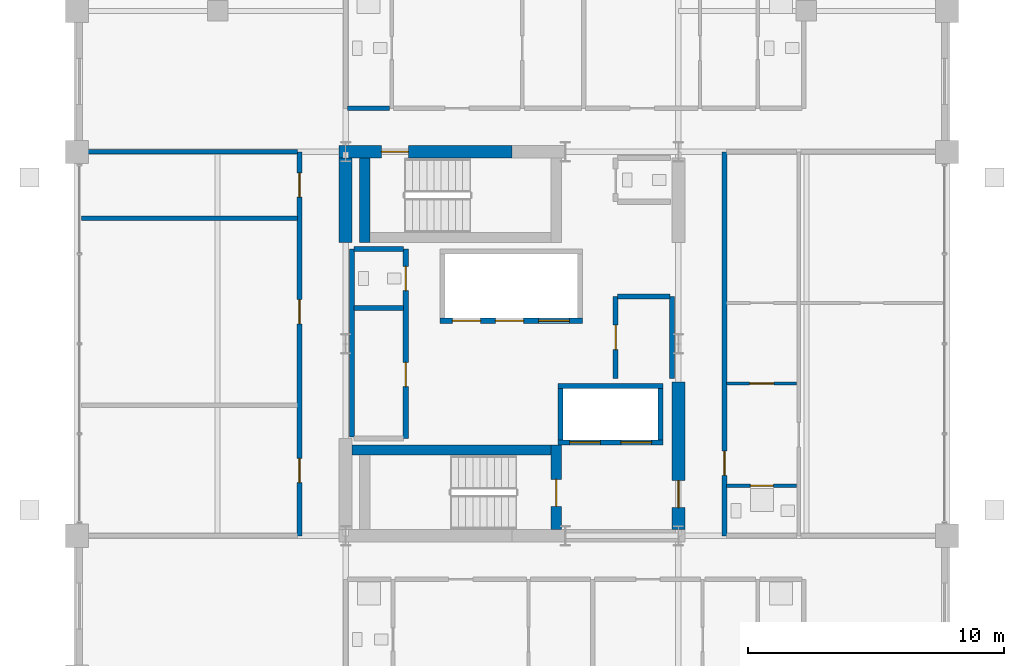
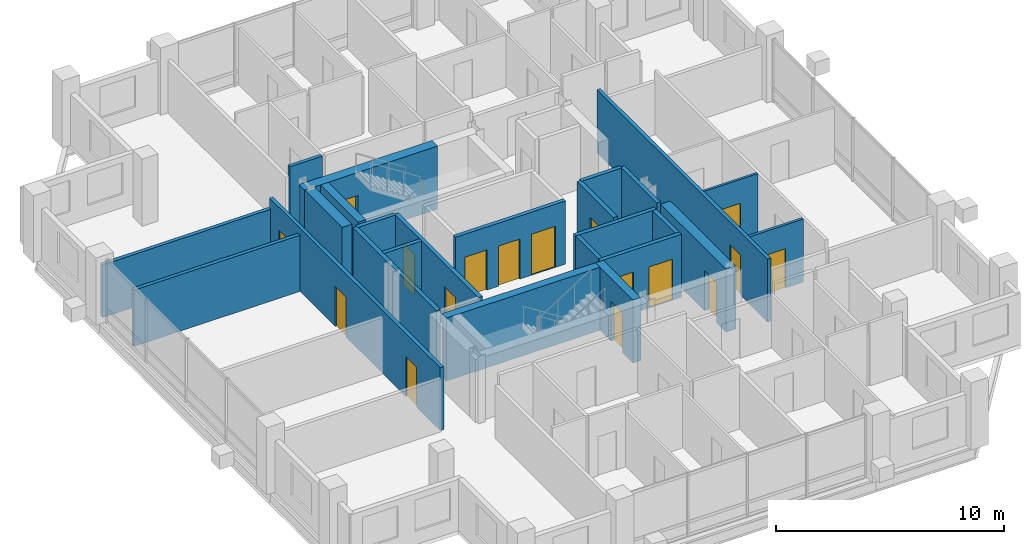
# One storey, part 17 of 21: 25 walls, 17 doors, 17 openings.
"""IFC4 building model written with IfcOpenShell, lengths in metres."""

import ifcopenshell
import ifcopenshell.guid

model = None  # the IFC model being written
_history = None  # IfcOwnerHistory: only IFC2X3 demands one
_inside = {}  # id of a spatial element -> (the spatial element, [elements in it])
_under = {}  # id of a project, library or spatial element -> (it, [spatial elements below it])
_declared = {}  # id of a project -> (the project, [libraries it declares])
_typed = {}  # id of a type object -> (the type object, [elements of that type])
_made_of = {}  # id of a material, layer set ... -> (it, [elements and type objects made of it])


def new_model(schema):
    """Start an empty IFC model of exactly this schema.

    Asked for "IFC4X3", IfcOpenShell would pick the latest addendum, in which some entities
    have other attributes; the version numbers below select the first issue.
    IFC2X3 requires an IfcOwnerHistory on every rooted entity: one is made here for all.
    """
    global model, _history
    if schema == "IFC4X3":
        model = ifcopenshell.file(schema_version=(4, 3, 0, 0))
    else:
        model = ifcopenshell.file(schema=schema)
    _inside.clear()
    _under.clear()
    _declared.clear()
    _typed.clear()
    _made_of.clear()
    _history = None
    if model.schema == "IFC2X3":
        org = make("IfcOrganization", Name="unknown")
        user = make(
            "IfcPersonAndOrganization",
            ThePerson=make("IfcPerson", FamilyName="unknown"),
            TheOrganization=org,
        )
        app = make(
            "IfcApplication",
            ApplicationDeveloper=org,
            Version="unknown",
            ApplicationFullName="unknown",
            ApplicationIdentifier="unknown",
        )
        _history = make(
            "IfcOwnerHistory",
            OwningUser=user,
            OwningApplication=app,
            ChangeAction="ADDED",
            CreationDate=0,
        )
    return model


def make(cls, **values):
    """One entity of the class cls with the attributes given. An attribute that is None is left unset."""
    return model.create_entity(
        cls, **{name: value for name, value in values.items() if value is not None}
    )


def rooted(cls, **values):
    """An entity with a GlobalId (a new one), such as an element, a storey or a relation."""
    return make(cls, GlobalId=ifcopenshell.guid.new(), OwnerHistory=_history, **values)


def si_unit(unit_type, name, prefix=None):
    """IfcSIUnit, for example si_unit("LENGTHUNIT", "METRE", prefix="MILLI")."""
    return make("IfcSIUnit", UnitType=unit_type, Prefix=prefix, Name=name)


def assignment(units):
    """IfcUnitAssignment: the units of a project."""
    return None if units is None else make("IfcUnitAssignment", Units=units)


def point(xyz):
    """IfcCartesianPoint."""
    return None if xyz is None else make("IfcCartesianPoint", Coordinates=xyz)


def direction(xyz):
    """IfcDirection."""
    return None if xyz is None else make("IfcDirection", DirectionRatios=xyz)


def frame(location, z_axis=None, x_axis=None):
    """IfcAxis2Placement3D, a coordinate frame: its origin and axes. An axis left out is left unset."""
    return make(
        "IfcAxis2Placement3D",
        Location=point(location),
        Axis=direction(z_axis),
        RefDirection=direction(x_axis),
    )


def frame_2d(location, x_axis=None):
    """IfcAxis2Placement2D, a coordinate frame in the plane: its origin and x axis."""
    return make(
        "IfcAxis2Placement2D", Location=point(location), RefDirection=direction(x_axis)
    )


def origin():
    """The frame at (0, 0, 0) with its axes left unset."""
    return frame((0.0, 0.0, 0.0))


def place(relative_to, where):
    """IfcLocalPlacement: puts the frame where relative to a parent placement (None: the world)."""
    return make(
        "IfcLocalPlacement", PlacementRelTo=relative_to, RelativePlacement=where
    )


def context(
    kind, dimensions, precision=None, world=None, true_north=None, identifier=None
):
    """IfcGeometricRepresentationContext, for example the 3D "Model" context."""
    return make(
        "IfcGeometricRepresentationContext",
        ContextIdentifier=identifier,
        ContextType=kind,
        CoordinateSpaceDimension=dimensions,
        Precision=precision,
        WorldCoordinateSystem=world,
        TrueNorth=true_north,
    )


def subcontext(parent, identifier, kind, view, scale=None):
    """IfcGeometricRepresentationSubContext, for example "Body" below "Model"."""
    return make(
        "IfcGeometricRepresentationSubContext",
        ContextIdentifier=identifier,
        ContextType=kind,
        ParentContext=parent,
        TargetScale=scale,
        TargetView=view,
    )


def project(units=None, contexts=None):
    """IfcProject with its units and contexts."""
    return rooted(
        "IfcProject",
        Name="project",
        RepresentationContexts=contexts,
        UnitsInContext=assignment(units),
    )


def spatial(cls, under=None, at=None, **own):
    """A site, building, storey or space (cls), placed at a placement, below another one or the project."""
    s = rooted(cls, ObjectPlacement=at, **own)
    if under is not None:
        _under.setdefault(under.id(), (under, []))[1].append(s)
    return s


def profile(cls, at=None, kind="AREA", **sizes):
    """A parametric profile (cls). Its sizes go by their IFC names, for example OverallWidth=200.0."""
    return make(cls, ProfileType=kind, Position=at, **sizes)


def rectangle(**sizes):
    """IfcRectangleProfileDef."""
    return profile("IfcRectangleProfileDef", **sizes)


def extrude(swept, where, along, depth):
    """IfcExtrudedAreaSolid: the profile swept, set in the frame where, extruded along a direction by depth."""
    return make(
        "IfcExtrudedAreaSolid",
        SweptArea=swept,
        Position=where,
        ExtrudedDirection=direction(along),
        Depth=depth,
    )


def shape(context_of_items, identifier, shape_type, items):
    """IfcShapeRepresentation: the items that make up one representation, for example the "Body"."""
    return make(
        "IfcShapeRepresentation",
        ContextOfItems=context_of_items,
        RepresentationIdentifier=identifier,
        RepresentationType=shape_type,
        Items=items,
    )


def material(Name=None, Category=None):
    """IfcMaterial."""
    return make("IfcMaterial", Name=Name, Category=Category)


def layer(
    of_material, thickness, ventilated=None, Name=None, Category=None, Priority=None
):
    """IfcMaterialLayer: one layer of a wall or slab, of a material (None: an air gap)."""
    return make(
        "IfcMaterialLayer",
        Material=of_material,
        LayerThickness=thickness,
        IsVentilated=ventilated,
        Name=Name,
        Category=Category,
        Priority=Priority,
    )


def layer_set(layers, Name=None):
    """IfcMaterialLayerSet."""
    return make("IfcMaterialLayerSet", MaterialLayers=layers, LayerSetName=Name)


def made_of(thing, what):
    """Note that an element or type object is made of a material, layer set ...; save() writes the relation."""
    if what is not None:
        _made_of.setdefault(what.id(), (what, []))[1].append(thing)
    return thing


def type_object(cls, material=None, **own):
    """A type object (cls), such as IfcWallType, which elements share."""
    return made_of(rooted(cls, **own), material)


def element(
    cls,
    number,
    at=None,
    inside=None,
    cuts=None,
    type_object=None,
    material=None,
    context=None,
    identifier="Body",
    shape_type=None,
    held_by="IfcProductDefinitionShape",
    body=None,
    shapes=None,
    **own,
):
    """One element of the class cls, such as IfcWall. Its Tag is "e" and its number.

    at: its placement. inside: the storey or other place that contains it. cuts: it is an
    opening in that element (IfcRelVoidsElement). A single representation is given by context,
    identifier, shape_type and body (its items); several are given by shapes. held_by: the class
    of the entity that holds the representations. save() writes the other relations.
    """
    e = rooted(cls, Tag="e%d" % number, ObjectPlacement=at, **own)
    if body is not None:
        shapes = [shape(context, identifier, shape_type, body)]
    if shapes is not None:
        e.Representation = make(held_by, Representations=shapes)
    if inside is not None:
        _inside.setdefault(inside.id(), (inside, []))[1].append(e)
    if cuts is not None:
        rooted(
            "IfcRelVoidsElement", RelatingBuildingElement=cuts, RelatedOpeningElement=e
        )
    if type_object is not None:
        _typed.setdefault(type_object.id(), (type_object, []))[1].append(e)
    return made_of(e, material)


def fill(opening, filler):
    """IfcRelFillsElement: the door or window that sits in an opening."""
    return rooted(
        "IfcRelFillsElement",
        RelatingOpeningElement=opening,
        RelatedBuildingElement=filler,
    )


def aggregate(whole, parts):
    """IfcRelAggregates: a whole, such as a stair, and the parts it consists of."""
    return rooted("IfcRelAggregates", RelatingObject=whole, RelatedObjects=parts)


def save(model, path):
    """Write the relations noted so far, then the file.

    IfcRelAggregates (storeys below a building ...), IfcRelContainedInSpatialStructure (elements
    in a storey), IfcRelDefinesByType, IfcRelAssociatesMaterial and IfcRelDeclares: one each for
    every whole, place, type object, material and project.
    """
    for whole, parts in _under.values():
        aggregate(whole, parts)
    for where, things in _inside.values():
        rooted(
            "IfcRelContainedInSpatialStructure",
            RelatedElements=things,
            RelatingStructure=where,
        )
    for kind, things in _typed.values():
        rooted("IfcRelDefinesByType", RelatedObjects=things, RelatingType=kind)
    for what, things in _made_of.values():
        rooted("IfcRelAssociatesMaterial", RelatedObjects=things, RelatingMaterial=what)
    for by, libraries in _declared.values():
        rooted("IfcRelDeclares", RelatingContext=by, RelatedDefinitions=libraries)
    model.write(path)


model = new_model("IFC4")

# Units and contexts
model_context = context("Model", 3, precision=1e-05, world=origin(), true_north=direction((0.0, 1.0)))
body_context = subcontext(model_context, "Body", "Model", "MODEL_VIEW")
ifc_project = project(units=[si_unit("LENGTHUNIT", "METRE"), si_unit("AREAUNIT", "SQUARE_METRE"), si_unit("VOLUMEUNIT", "CUBIC_METRE"), si_unit("PLANEANGLEUNIT", "RADIAN"), si_unit("MASSUNIT", "GRAM", prefix="KILO")], contexts=[model_context])

# Site, building, storey
site_placement = place(None, origin())
site = spatial("IfcSite", under=ifc_project, at=site_placement, CompositionType="ELEMENT")
building_placement = place(site_placement, origin())
building = spatial("IfcBuilding", under=site, at=building_placement, Name="Barlavira Tower and Art Museum", CompositionType="ELEMENT")
storey_placement = place(building_placement, frame((0.0, 0.0, 233.10009765625)))
storey = spatial("IfcBuildingStorey", under=building, at=storey_placement, Name="L60", CompositionType="ELEMENT", Elevation=233.10009765625)

# Wall, opening, door
ifc_material_1 = material(Name="Gypsum acoustic stud partition", Category="gypsum")
ifc_layer_1 = layer(ifc_material_1, 0.1201171875, Name="Gypsum acoustic stud partition")
ifc_layer_set_1 = layer_set([ifc_layer_1], Name="Gypsum acoustic stud partition")
wall_type_1 = type_object("IfcWallType", Name="Apartment Internal Acoustic Partition 120", PredefinedType="PARTITIONING", material=ifc_layer_set_1)
wall_1_placement = place(storey_placement, frame((8.3798828125, -1.550048828125, 0.0), z_axis=(0.0, 0.0, 1.0), x_axis=(1.0, 0.0, 0.0)))
wall_1 = element("IfcWall", 1, at=wall_1_placement, inside=storey, type_object=wall_type_1, Name="L60 Partition Wall 46", PredefinedType="PARTITIONING", context=body_context, shape_type="SweptSolid", body=[
    extrude(rectangle(XDim=2.740234375, YDim=0.1201171875, at=frame_2d((1.3701171875, 0.0))), origin(), (0.0, 0.0, 1.0), 3.3798828125),
])
opening_1_placement = place(wall_1_placement, frame((0.905029296875, 0.0, 0.0)))
opening_1 = element("IfcOpeningElement", 2, at=opening_1_placement, cuts=wall_1, Name="Opening D-02", PredefinedType="OPENING", context=body_context, shape_type="SweptSolid", body=[
    extrude(rectangle(XDim=0.949951171875, YDim=2.10009765625, at=frame_2d((0.47509765625, 1.050048828125))), frame((0.0, 0.070068359375, 0.0), z_axis=(0.0, -1.0, 0.0), x_axis=(1.0, 0.0, 0.0)), (0.0, 0.0, 1.0), 0.14013671875),
])
ifc_material_2 = material(Name="Engineered coastal hardwood", Category="wood")
door_type_1 = type_object("IfcDoorType", Name="Living and Salon Glazed-Leaf Door 950x2100", OperationType="NOTDEFINED", PredefinedType="DOOR", material=ifc_material_2)
door_1_placement = place(opening_1_placement, origin())
door_1 = element("IfcDoor", 3, at=door_1_placement, inside=storey, type_object=door_type_1, Name="Apartment E1 Kitchen Door", OperationType="SINGLE_SWING_RIGHT", OverallHeight=2.10009765625, OverallWidth=0.949951171875, PredefinedType="DOOR", context=body_context, shape_type="SweptSolid", body=[
    extrude(rectangle(XDim=0.949951171875, YDim=2.10009765625, at=frame_2d((0.47509765625, 1.050048828125))), frame((0.0, 0.02490234375, 0.0), z_axis=(0.0, -1.0, 0.0), x_axis=(1.0, 0.0, 0.0)), (0.0, 0.0, 1.0), 0.050048828125),
])
fill(opening_1, door_1)

ifc_material_3 = material(Name="Concrete C60", Category="concrete")
ifc_layer_2 = layer(ifc_material_3, 0.5, Name="Concrete C60")
ifc_layer_set_2 = layer_set([ifc_layer_2], Name="Concrete C60")
wall_type_2 = type_object("IfcWallType", Name="Core Structural Shear Wall 500 Concrete C60", PredefinedType="SHEAR", material=ifc_layer_set_2)
wall_2_placement = place(storey_placement, frame((-6.75, 7.5, 0.0), z_axis=(0.0, 0.0, 1.0), x_axis=(1.0, 0.0, 0.0)))
wall_2 = element("IfcWall", 4, at=wall_2_placement, inside=storey, type_object=wall_type_2, Name="L60 Core Shear Wall CS-NW", PredefinedType="SHEAR", context=body_context, shape_type="SweptSolid", body=[
    extrude(rectangle(XDim=6.75, YDim=0.5, at=frame_2d((3.375, 0.0))), origin(), (0.0, 0.0, 1.0), 3.3798828125),
])
opening_2_placement = place(wall_2_placement, frame((1.64990234375, 0.0, 0.0)))
opening_2 = element("IfcOpeningElement", 5, at=opening_2_placement, cuts=wall_2, Name="Opening FD-90", PredefinedType="OPENING", context=body_context, shape_type="SweptSolid", body=[
    extrude(rectangle(XDim=1.050048828125, YDim=2.14990234375, at=frame_2d((0.52490234375, 1.074951171875))), frame((0.0, 0.260009765625, 0.0), z_axis=(0.0, -1.0, 0.0), x_axis=(1.0, 0.0, 0.0)), (0.0, 0.0, 1.0), 0.52001953125),
])
ifc_material_4 = material(Name="Brushed stainless steel", Category="steel")
door_type_2 = type_object("IfcDoorType", Name="Stair and Refuge Fire Door 1050x2150 FD90S", OperationType="NOTDEFINED", PredefinedType="DOOR", material=ifc_material_4)
door_2_placement = place(opening_2_placement, origin())
door_2 = element("IfcDoor", 6, at=door_2_placement, inside=storey, type_object=door_type_2, Name="L60 Stair ST-T2 Fire Door", OperationType="SINGLE_SWING_LEFT", OverallHeight=2.14990234375, OverallWidth=1.050048828125, PredefinedType="DOOR", context=body_context, shape_type="SweptSolid", body=[
    extrude(rectangle(XDim=1.050048828125, YDim=2.14990234375, at=frame_2d((0.52490234375, 1.074951171875))), frame((0.0, 0.02490234375, 0.0), z_axis=(0.0, -1.0, 0.0), x_axis=(1.0, 0.0, 0.0)), (0.0, 0.0, 1.0), 0.050048828125),
])
fill(opening_2, door_2)

# Wall
wall_3_placement = place(storey_placement, frame((-6.5, 3.949951171875, 0.0), z_axis=(0.0, 0.0, 1.0), x_axis=(0.0, 1.0, 0.0)))
element("IfcWall", 7, at=wall_3_placement, inside=storey, type_object=wall_type_2, Name="L60 Core Shear Wall CS-W2", PredefinedType="SHEAR", context=body_context, shape_type="SweptSolid", body=[
    extrude(rectangle(XDim=3.300048828125, YDim=0.5, at=frame_2d((1.64990234375, 0.0))), origin(), (0.0, 0.0, 1.0), 3.3798828125),
])

# Wall, opening, door
wall_4_placement = place(storey_placement, frame((6.5, -7.25, 0.0), z_axis=(0.0, 0.0, 1.0), x_axis=(0.0, 1.0, 0.0)))
wall_4 = element("IfcWall", 8, at=wall_4_placement, inside=storey, type_object=wall_type_2, Name="L60 Core Shear Wall CS-E1", PredefinedType="SHEAR", context=body_context, shape_type="SweptSolid", body=[
    extrude(rectangle(XDim=5.75, YDim=0.5, at=frame_2d((2.875, 0.0))), origin(), (0.0, 0.0, 1.0), 3.3798828125),
])
opening_3_placement = place(wall_4_placement, frame((0.85009765625, 0.0, 0.0)))
opening_3 = element("IfcOpeningElement", 9, at=opening_3_placement, cuts=wall_4, Name="Opening FD-90", PredefinedType="OPENING", context=body_context, shape_type="SweptSolid", body=[
    extrude(rectangle(XDim=1.050048828125, YDim=2.14990234375, at=frame_2d((0.52490234375, 1.074951171875))), frame((0.0, 0.260009765625, 0.0), z_axis=(0.0, -1.0, 0.0), x_axis=(1.0, 0.0, 0.0)), (0.0, 0.0, 1.0), 0.52001953125),
])
door_3_placement = place(opening_3_placement, origin())
door_3 = element("IfcDoor", 10, at=door_3_placement, inside=storey, type_object=door_type_2, Name="L60 Firefighting Lobby Entry Fire Door", OperationType="SINGLE_SWING_LEFT", OverallHeight=2.14990234375, OverallWidth=1.050048828125, PredefinedType="DOOR", context=body_context, shape_type="SweptSolid", body=[
    extrude(rectangle(XDim=1.050048828125, YDim=2.14990234375, at=frame_2d((0.52490234375, 1.074951171875))), frame((0.0, 0.02490234375, 0.0), z_axis=(0.0, -1.0, 0.0), x_axis=(1.0, 0.0, 0.0)), (0.0, 0.0, 1.0), 0.050048828125),
])
fill(opening_3, door_3)

# Wall, openings, doors
ifc_material_5 = material(Name="Autoclaved aerated concrete masonry", Category="masonry")
ifc_layer_3 = layer(ifc_material_5, 0.199951171875, Name="Autoclaved aerated concrete masonry")
ifc_layer_set_3 = layer_set([ifc_layer_3], Name="Autoclaved aerated concrete masonry")
wall_type_3 = type_object("IfcWallType", Name="Fire Compartment and Shaft Wall 200", PredefinedType="SOLIDWALL", material=ifc_layer_set_3)
wall_5_placement = place(storey_placement, frame((-2.820068359375, 0.89990234375, 0.0), z_axis=(0.0, 0.0, 1.0), x_axis=(1.0, 0.0, 0.0)))
wall_5 = element("IfcWall", 11, at=wall_5_placement, inside=storey, type_object=wall_type_3, Name="L60 High-Rise & Service Lift Front Wall", PredefinedType="SOLIDWALL", context=body_context, shape_type="SweptSolid", body=[
    extrude(rectangle(XDim=5.580078125, YDim=0.199951171875, at=frame_2d((2.7900390625, 0.0))), origin(), (0.0, 0.0, 1.0), 3.3798828125),
])
opening_4_placement = place(wall_5_placement, frame((0.489990234375, 0.0, 0.0)))
opening_4 = element("IfcOpeningElement", 12, at=opening_4_placement, cuts=wall_5, Name="Opening LD-P", PredefinedType="OPENING", context=body_context, shape_type="SweptSolid", body=[
    extrude(rectangle(XDim=1.10009765625, YDim=2.14990234375, at=frame_2d((0.550048828125, 1.074951171875))), frame((0.0, 0.10986328125, 0.0), z_axis=(0.0, -1.0, 0.0), x_axis=(1.0, 0.0, 0.0)), (0.0, 0.0, 1.0), 0.219970703125),
])
opening_5_placement = place(wall_5_placement, frame((2.169921875, 0.0, 0.0)))
opening_5 = element("IfcOpeningElement", 13, at=opening_5_placement, cuts=wall_5, Name="Opening LD-P", PredefinedType="OPENING", context=body_context, shape_type="SweptSolid", body=[
    extrude(rectangle(XDim=1.10009765625, YDim=2.14990234375, at=frame_2d((0.550048828125, 1.074951171875))), frame((0.0, 0.10986328125, 0.0), z_axis=(0.0, -1.0, 0.0), x_axis=(1.0, 0.0, 0.0)), (0.0, 0.0, 1.0), 0.219970703125),
])
opening_6_placement = place(wall_5_placement, frame((3.860107421875, 0.0, 0.0)))
opening_6 = element("IfcOpeningElement", 14, at=opening_6_placement, cuts=wall_5, Name="Opening LD-F", PredefinedType="OPENING", context=body_context, shape_type="SweptSolid", body=[
    extrude(rectangle(XDim=1.199951171875, YDim=2.199951171875, at=frame_2d((0.60009765625, 1.10009765625))), frame((0.0, 0.10986328125, 0.0), z_axis=(0.0, -1.0, 0.0), x_axis=(1.0, 0.0, 0.0)), (0.0, 0.0, 1.0), 0.219970703125),
])
door_type_3 = type_object("IfcDoorType", Name="Firefighting and Service Lift Sliding Door 1200x2200 FD120", OperationType="NOTDEFINED", PredefinedType="DOOR", material=ifc_material_4)
door_4_placement = place(opening_6_placement, origin())
door_4 = element("IfcDoor", 15, at=door_4_placement, inside=storey, type_object=door_type_3, Name="L60 Stretcher Service Lift SL1 Sliding Door", OperationType="DOUBLE_DOOR_SLIDING", OverallHeight=2.199951171875, OverallWidth=1.199951171875, PredefinedType="DOOR", context=body_context, shape_type="SweptSolid", body=[
    extrude(rectangle(XDim=1.199951171875, YDim=2.199951171875, at=frame_2d((0.60009765625, 1.10009765625))), frame((0.0, 0.02490234375, 0.0), z_axis=(0.0, -1.0, 0.0), x_axis=(1.0, 0.0, 0.0)), (0.0, 0.0, 1.0), 0.050048828125),
])
fill(opening_6, door_4)
door_type_4 = type_object("IfcDoorType", Name="Passenger Lift Sliding Landing Door 1100x2150 FD60", OperationType="NOTDEFINED", PredefinedType="DOOR", material=ifc_material_4)
door_5_placement = place(opening_4_placement, origin())
door_5 = element("IfcDoor", 16, at=door_5_placement, inside=storey, type_object=door_type_4, Name="L60 Lift PH1 Sliding Landing Door", OperationType="DOUBLE_DOOR_SLIDING", OverallHeight=2.14990234375, OverallWidth=1.10009765625, PredefinedType="DOOR", context=body_context, shape_type="SweptSolid", body=[
    extrude(rectangle(XDim=1.10009765625, YDim=2.14990234375, at=frame_2d((0.550048828125, 1.074951171875))), frame((0.0, 0.02490234375, 0.0), z_axis=(0.0, -1.0, 0.0), x_axis=(1.0, 0.0, 0.0)), (0.0, 0.0, 1.0), 0.050048828125),
])
fill(opening_4, door_5)
door_6_placement = place(opening_5_placement, origin())
door_6 = element("IfcDoor", 17, at=door_6_placement, inside=storey, type_object=door_type_4, Name="L60 Lift PH2 Sliding Landing Door", OperationType="DOUBLE_DOOR_SLIDING", OverallHeight=2.14990234375, OverallWidth=1.10009765625, PredefinedType="DOOR", context=body_context, shape_type="SweptSolid", body=[
    extrude(rectangle(XDim=1.10009765625, YDim=2.14990234375, at=frame_2d((0.550048828125, 1.074951171875))), frame((0.0, 0.02490234375, 0.0), z_axis=(0.0, -1.0, 0.0), x_axis=(1.0, 0.0, 0.0)), (0.0, 0.0, 1.0), 0.050048828125),
])
fill(opening_5, door_6)

wall_6_placement = place(storey_placement, frame((1.800048828125, -3.85009765625, 0.0), z_axis=(0.0, 0.0, 1.0), x_axis=(1.0, 0.0, 0.0)))
wall_6 = element("IfcWall", 18, at=wall_6_placement, inside=storey, type_object=wall_type_3, Name="L60 Firefighting Lift Front Shaft Wall", PredefinedType="SOLIDWALL", context=body_context, shape_type="SweptSolid", body=[
    extrude(rectangle(XDim=4.099853515625, YDim=0.199951171875, at=frame_2d((2.0498046875, 0.0))), origin(), (0.0, 0.0, 1.0), 3.3798828125),
])
opening_7_placement = place(wall_6_placement, frame((0.449951171875, 0.0, 0.0)))
opening_7 = element("IfcOpeningElement", 19, at=opening_7_placement, cuts=wall_6, Name="Opening LD-F", PredefinedType="OPENING", context=body_context, shape_type="SweptSolid", body=[
    extrude(rectangle(XDim=1.199951171875, YDim=2.199951171875, at=frame_2d((0.60009765625, 1.10009765625))), frame((0.0, 0.10986328125, 0.0), z_axis=(0.0, -1.0, 0.0), x_axis=(1.0, 0.0, 0.0)), (0.0, 0.0, 1.0), 0.219970703125),
])
opening_8_placement = place(wall_6_placement, frame((2.449951171875, 0.0, 0.0)))
opening_8 = element("IfcOpeningElement", 20, at=opening_8_placement, cuts=wall_6, Name="Opening LD-F", PredefinedType="OPENING", context=body_context, shape_type="SweptSolid", body=[
    extrude(rectangle(XDim=1.199951171875, YDim=2.199951171875, at=frame_2d((0.60009765625, 1.10009765625))), frame((0.0, 0.10986328125, 0.0), z_axis=(0.0, -1.0, 0.0), x_axis=(1.0, 0.0, 0.0)), (0.0, 0.0, 1.0), 0.219970703125),
])
door_7_placement = place(opening_7_placement, origin())
door_7 = element("IfcDoor", 21, at=door_7_placement, inside=storey, type_object=door_type_3, Name="L60 Firefighting Lift FF1 Sliding Door", OperationType="DOUBLE_DOOR_SLIDING", OverallHeight=2.199951171875, OverallWidth=1.199951171875, PredefinedType="DOOR", context=body_context, shape_type="SweptSolid", body=[
    extrude(rectangle(XDim=1.199951171875, YDim=2.199951171875, at=frame_2d((0.60009765625, 1.10009765625))), frame((0.0, 0.02490234375, 0.0), z_axis=(0.0, -1.0, 0.0), x_axis=(1.0, 0.0, 0.0)), (0.0, 0.0, 1.0), 0.050048828125),
])
fill(opening_7, door_7)
door_8_placement = place(opening_8_placement, origin())
door_8 = element("IfcDoor", 22, at=door_8_placement, inside=storey, type_object=door_type_3, Name="L60 Firefighting Lift FF2 Sliding Door", OperationType="DOUBLE_DOOR_SLIDING", OverallHeight=2.199951171875, OverallWidth=1.199951171875, PredefinedType="DOOR", context=body_context, shape_type="SweptSolid", body=[
    extrude(rectangle(XDim=1.199951171875, YDim=2.199951171875, at=frame_2d((0.60009765625, 1.10009765625))), frame((0.0, 0.02490234375, 0.0), z_axis=(0.0, -1.0, 0.0), x_axis=(1.0, 0.0, 0.0)), (0.0, 0.0, 1.0), 0.050048828125),
])
fill(opening_8, door_8)

# Walls
wall_7_placement = place(storey_placement, frame((1.800048828125, -1.64990234375, 0.0), z_axis=(0.0, 0.0, 1.0), x_axis=(1.0, 0.0, 0.0)))
element("IfcWall", 23, at=wall_7_placement, inside=storey, type_object=wall_type_3, Name="L60 Firefighting Lift Back Shaft Wall", PredefinedType="SOLIDWALL", context=body_context, shape_type="SweptSolid", body=[
    extrude(rectangle(XDim=4.099853515625, YDim=0.199951171875, at=frame_2d((2.0498046875, 0.0))), origin(), (0.0, 0.0, 1.0), 3.3798828125),
])
for number, where, z_axis, x_axis, name in (
    (24, (1.89990234375, -3.75, 0.0), (0.0, 0.0, 1.0), (0.0, 1.0, 0.0), "L60 Firefighting Lift West Shaft Wall"),
    (25, (5.800048828125, -3.75, 0.0), (0.0, 0.0, 1.0), (0.0, 1.0, 0.0), "L60 Firefighting Lift East Shaft Wall"),
):
    element("IfcWall", number, at=place(storey_placement, frame(where, z_axis=z_axis, x_axis=x_axis)), inside=storey, type_object=wall_type_3, Name=name, PredefinedType="SOLIDWALL", context=body_context, shape_type="SweptSolid", body=[
        extrude(rectangle(XDim=2.0, YDim=0.199951171875, at=frame_2d((1.0, 0.0))), origin(), (0.0, 0.0, 1.0), 3.3798828125),
    ])
wall_8_placement = place(storey_placement, frame((-6.25, -3.639892578125, 0.0), z_axis=(0.0, 0.0, 1.0), x_axis=(0.0, 1.0, 0.0)))
element("IfcWall", 26, at=wall_8_placement, inside=storey, type_object=wall_type_3, Name="L60 Partition Wall 4", PredefinedType="SOLIDWALL", context=body_context, shape_type="SweptSolid", body=[
    extrude(rectangle(XDim=7.33984375, YDim=0.199951171875, at=frame_2d((3.669921875, 0.0))), origin(), (0.0, 0.0, 1.0), 3.3798828125),
])

# Wall, openings, doors
wall_9_placement = place(storey_placement, frame((-4.14990234375, -3.699951171875, 0.0), z_axis=(0.0, 0.0, 1.0), x_axis=(0.0, 1.0, 0.0)))
wall_9 = element("IfcWall", 27, at=wall_9_placement, inside=storey, type_object=wall_type_3, Name="L60 Partition Wall 7", PredefinedType="SOLIDWALL", context=body_context, shape_type="SweptSolid", body=[
    extrude(rectangle(XDim=7.39990234375, YDim=0.199951171875, at=frame_2d((3.699951171875, 0.0))), origin(), (0.0, 0.0, 1.0), 3.3798828125),
])
opening_9_placement = place(wall_9_placement, frame((2.02490234375, 0.0, 0.0)))
opening_9 = element("IfcOpeningElement", 28, at=opening_9_placement, cuts=wall_9, Name="Opening FD-60", PredefinedType="OPENING", context=body_context, shape_type="SweptSolid", body=[
    extrude(rectangle(XDim=0.949951171875, YDim=2.14990234375, at=frame_2d((0.47509765625, 1.074951171875))), frame((0.0, 0.10986328125, 0.0), z_axis=(0.0, -1.0, 0.0), x_axis=(1.0, 0.0, 0.0)), (0.0, 0.0, 1.0), 0.219970703125),
])
opening_10_placement = place(wall_9_placement, frame((5.77490234375, 0.0, 0.0)))
opening_10 = element("IfcOpeningElement", 29, at=opening_10_placement, cuts=wall_9, Name="Opening FD-60", PredefinedType="OPENING", context=body_context, shape_type="SweptSolid", body=[
    extrude(rectangle(XDim=0.949951171875, YDim=2.14990234375, at=frame_2d((0.47509765625, 1.074951171875))), frame((0.0, 0.10986328125, 0.0), z_axis=(0.0, -1.0, 0.0), x_axis=(1.0, 0.0, 0.0)), (0.0, 0.0, 1.0), 0.219970703125),
])
door_type_5 = type_object("IfcDoorType", Name="Apartment Entrance and Riser Fire Door 950x2150 FD60S", OperationType="NOTDEFINED", PredefinedType="DOOR", material=ifc_material_4)
door_9_placement = place(opening_9_placement, origin())
door_9 = element("IfcDoor", 30, at=door_9_placement, inside=storey, type_object=door_type_5, Name="Reclaimed Core Resident Parcel Room Door", OperationType="SINGLE_SWING_LEFT", OverallHeight=2.14990234375, OverallWidth=0.949951171875, PredefinedType="DOOR", context=body_context, shape_type="SweptSolid", body=[
    extrude(rectangle(XDim=0.949951171875, YDim=2.14990234375, at=frame_2d((0.47509765625, 1.074951171875))), frame((0.0, 0.02490234375, 0.0), z_axis=(0.0, -1.0, 0.0), x_axis=(1.0, 0.0, 0.0)), (0.0, 0.0, 1.0), 0.050048828125),
])
fill(opening_9, door_9)
door_10_placement = place(opening_10_placement, origin())
door_10 = element("IfcDoor", 31, at=door_10_placement, inside=storey, type_object=door_type_5, Name="Reclaimed Core Accessible WC Door", OperationType="SINGLE_SWING_RIGHT", OverallHeight=2.14990234375, OverallWidth=0.949951171875, PredefinedType="DOOR", context=body_context, shape_type="SweptSolid", body=[
    extrude(rectangle(XDim=0.949951171875, YDim=2.14990234375, at=frame_2d((0.47509765625, 1.074951171875))), frame((0.0, 0.02490234375, 0.0), z_axis=(0.0, -1.0, 0.0), x_axis=(1.0, 0.0, 0.0)), (0.0, 0.0, 1.0), 0.050048828125),
])
fill(opening_10, door_10)

# Wall, opening, door
wall_10_placement = place(storey_placement, frame((4.050048828125, -1.35009765625, 0.0), z_axis=(0.0, 0.0, 1.0), x_axis=(0.0, 1.0, 0.0)))
wall_10 = element("IfcWall", 32, at=wall_10_placement, inside=storey, type_object=wall_type_3, Name="L60 Partition Wall 16", PredefinedType="SOLIDWALL", context=body_context, shape_type="SweptSolid", body=[
    extrude(rectangle(XDim=3.2001953125, YDim=0.199951171875, at=frame_2d((1.60009765625, 0.0))), origin(), (0.0, 0.0, 1.0), 3.3798828125),
])
opening_11_placement = place(wall_10_placement, frame((1.125, 0.0, 0.0)))
opening_11 = element("IfcOpeningElement", 33, at=opening_11_placement, cuts=wall_10, Name="Opening FD-60", PredefinedType="OPENING", context=body_context, shape_type="SweptSolid", body=[
    extrude(rectangle(XDim=0.949951171875, YDim=2.14990234375, at=frame_2d((0.47509765625, 1.074951171875))), frame((0.0, 0.10986328125, 0.0), z_axis=(0.0, -1.0, 0.0), x_axis=(1.0, 0.0, 0.0)), (0.0, 0.0, 1.0), 0.219970703125),
])
door_11_placement = place(opening_11_placement, origin())
door_11 = element("IfcDoor", 34, at=door_11_placement, inside=storey, type_object=door_type_5, Name="Reclaimed Upper Core Valet Store Door", OperationType="SINGLE_SWING_LEFT", OverallHeight=2.14990234375, OverallWidth=0.949951171875, PredefinedType="DOOR", context=body_context, shape_type="SweptSolid", body=[
    extrude(rectangle(XDim=0.949951171875, YDim=2.14990234375, at=frame_2d((0.47509765625, 1.074951171875))), frame((0.0, 0.02490234375, 0.0), z_axis=(0.0, -1.0, 0.0), x_axis=(1.0, 0.0, 0.0)), (0.0, 0.0, 1.0), 0.050048828125),
])
fill(opening_11, door_11)

# Walls
wall_11_placement = place(storey_placement, frame((6.25, -1.35009765625, 0.0), z_axis=(0.0, 0.0, 1.0), x_axis=(0.0, 1.0, 0.0)))
element("IfcWall", 35, at=wall_11_placement, inside=storey, type_object=wall_type_3, Name="L60 Partition Wall 18", PredefinedType="SOLIDWALL", context=body_context, shape_type="SweptSolid", body=[
    extrude(rectangle(XDim=3.2001953125, YDim=0.199951171875, at=frame_2d((1.60009765625, 0.0))), origin(), (0.0, 0.0, 1.0), 3.3798828125),
])
wall_12_placement = place(storey_placement, frame((-6.169921875, 1.39990234375, 0.0), z_axis=(0.0, 0.0, 1.0), x_axis=(1.0, 0.0, 0.0)))
element("IfcWall", 36, at=wall_12_placement, inside=storey, type_object=wall_type_3, Name="L60 Partition Wall 47", PredefinedType="SOLIDWALL", context=body_context, shape_type="SweptSolid", body=[
    extrude(rectangle(XDim=1.93994140625, YDim=0.199951171875, at=frame_2d((0.969970703125, 0.0))), origin(), (0.0, 0.0, 1.0), 3.3798828125),
])
wall_13_placement = place(storey_placement, frame((4.1298828125, 1.85009765625, 0.0), z_axis=(0.0, 0.0, 1.0), x_axis=(1.0, 0.0, 0.0)))
element("IfcWall", 37, at=wall_13_placement, inside=storey, type_object=wall_type_3, Name="L60 Partition Wall 50", PredefinedType="SOLIDWALL", context=body_context, shape_type="SweptSolid", body=[
    extrude(rectangle(XDim=2.0400390625, YDim=0.199951171875, at=frame_2d((1.02001953125, 0.0))), origin(), (0.0, 0.0, 1.0), 3.3798828125),
])
wall_14_placement = place(storey_placement, frame((-6.169921875, 3.699951171875, 0.0), z_axis=(0.0, 0.0, 1.0), x_axis=(1.0, 0.0, 0.0)))
element("IfcWall", 38, at=wall_14_placement, inside=storey, type_object=wall_type_3, Name="L60 Partition Wall 51", PredefinedType="SOLIDWALL", context=body_context, shape_type="SweptSolid", body=[
    extrude(rectangle(XDim=1.93994140625, YDim=0.199951171875, at=frame_2d((0.969970703125, 0.0))), origin(), (0.0, 0.0, 1.0), 3.3798828125),
])

# Wall, openings, doors
ifc_layer_4 = layer(ifc_material_1, 0.179931640625, Name="Gypsum acoustic stud partition")
ifc_layer_set_4 = layer_set([ifc_layer_4], Name="Gypsum acoustic stud partition")
wall_type_4 = type_object("IfcWallType", Name="Inter-Tenancy Party Partition Wall 180", PredefinedType="PARTITIONING", material=ifc_layer_set_4)
wall_15_placement = place(storey_placement, frame((-8.300048828125, -7.5, 0.0), z_axis=(0.0, 0.0, 1.0), x_axis=(0.0, 1.0, 0.0)))
wall_15 = element("IfcWall", 39, at=wall_15_placement, inside=storey, type_object=wall_type_4, Name="L60 Partition Wall 1", PredefinedType="PARTITIONING", context=body_context, shape_type="SweptSolid", body=[
    extrude(rectangle(XDim=15.0, YDim=0.179931640625, at=frame_2d((7.5, 0.0))), origin(), (0.0, 0.0, 1.0), 3.3798828125),
])
opening_12_placement = place(wall_15_placement, frame((2.074951171875, 0.0, 0.0)))
opening_12 = element("IfcOpeningElement", 40, at=opening_12_placement, cuts=wall_15, Name="Opening FD-60", PredefinedType="OPENING", context=body_context, shape_type="SweptSolid", body=[
    extrude(rectangle(XDim=0.949951171875, YDim=2.14990234375, at=frame_2d((0.47509765625, 1.074951171875))), frame((0.0, 0.10009765625, 0.0), z_axis=(0.0, -1.0, 0.0), x_axis=(1.0, 0.0, 0.0)), (0.0, 0.0, 1.0), 0.199951171875),
])
opening_13_placement = place(wall_15_placement, frame((8.27490234375, 0.0, 0.0)))
opening_13 = element("IfcOpeningElement", 41, at=opening_13_placement, cuts=wall_15, Name="Opening FD-60", PredefinedType="OPENING", context=body_context, shape_type="SweptSolid", body=[
    extrude(rectangle(XDim=0.949951171875, YDim=2.14990234375, at=frame_2d((0.47509765625, 1.074951171875))), frame((0.0, 0.10009765625, 0.0), z_axis=(0.0, -1.0, 0.0), x_axis=(1.0, 0.0, 0.0)), (0.0, 0.0, 1.0), 0.199951171875),
])
opening_14_placement = place(wall_15_placement, frame((13.22509765625, 0.0, 0.0)))
opening_14 = element("IfcOpeningElement", 42, at=opening_14_placement, cuts=wall_15, Name="Opening FD-60", PredefinedType="OPENING", context=body_context, shape_type="SweptSolid", body=[
    extrude(rectangle(XDim=0.949951171875, YDim=2.14990234375, at=frame_2d((0.47509765625, 1.074951171875))), frame((0.0, 0.10009765625, 0.0), z_axis=(0.0, -1.0, 0.0), x_axis=(1.0, 0.0, 0.0)), (0.0, 0.0, 1.0), 0.199951171875),
])
door_12_placement = place(opening_12_placement, origin())
door_12 = element("IfcDoor", 43, at=door_12_placement, inside=storey, type_object=door_type_5, Name="Resident Art Collectors Salon Door", OperationType="SINGLE_SWING_LEFT", OverallHeight=2.14990234375, OverallWidth=0.949951171875, PredefinedType="DOOR", context=body_context, shape_type="SweptSolid", body=[
    extrude(rectangle(XDim=0.949951171875, YDim=2.14990234375, at=frame_2d((0.47509765625, 1.074951171875))), frame((0.0, 0.02490234375, 0.0), z_axis=(0.0, -1.0, 0.0), x_axis=(1.0, 0.0, 0.0)), (0.0, 0.0, 1.0), 0.050048828125),
])
fill(opening_12, door_12)
door_13_placement = place(opening_13_placement, origin())
door_13 = element("IfcDoor", 44, at=door_13_placement, inside=storey, type_object=door_type_5, Name="Sculpture and Painting Workshop Door", OperationType="SINGLE_SWING_RIGHT", OverallHeight=2.14990234375, OverallWidth=0.949951171875, PredefinedType="DOOR", context=body_context, shape_type="SweptSolid", body=[
    extrude(rectangle(XDim=0.949951171875, YDim=2.14990234375, at=frame_2d((0.47509765625, 1.074951171875))), frame((0.0, 0.02490234375, 0.0), z_axis=(0.0, -1.0, 0.0), x_axis=(1.0, 0.0, 0.0)), (0.0, 0.0, 1.0), 0.050048828125),
])
fill(opening_13, door_13)
door_14_placement = place(opening_14_placement, origin())
door_14 = element("IfcDoor", 45, at=door_14_placement, inside=storey, type_object=door_type_5, Name="Climate-Controlled Wine Tasting Room Door", OperationType="SINGLE_SWING_LEFT", OverallHeight=2.14990234375, OverallWidth=0.949951171875, PredefinedType="DOOR", context=body_context, shape_type="SweptSolid", body=[
    extrude(rectangle(XDim=0.949951171875, YDim=2.14990234375, at=frame_2d((0.47509765625, 1.074951171875))), frame((0.0, 0.02490234375, 0.0), z_axis=(0.0, -1.0, 0.0), x_axis=(1.0, 0.0, 0.0)), (0.0, 0.0, 1.0), 0.050048828125),
])
fill(opening_14, door_14)

# Wall, opening, door
wall_16_placement = place(storey_placement, frame((8.300048828125, -7.5, 0.0), z_axis=(0.0, 0.0, 1.0), x_axis=(0.0, 1.0, 0.0)))
wall_16 = element("IfcWall", 46, at=wall_16_placement, inside=storey, type_object=wall_type_4, Name="L60 Partition Wall 21", PredefinedType="PARTITIONING", context=body_context, shape_type="SweptSolid", body=[
    extrude(rectangle(XDim=15.0, YDim=0.179931640625, at=frame_2d((7.5, 0.0))), origin(), (0.0, 0.0, 1.0), 3.3798828125),
])
opening_15_placement = place(wall_16_placement, frame((2.35498046875, 0.0, 0.0)))
opening_15 = element("IfcOpeningElement", 47, at=opening_15_placement, cuts=wall_16, Name="Opening FD-60", PredefinedType="OPENING", context=body_context, shape_type="SweptSolid", body=[
    extrude(rectangle(XDim=0.949951171875, YDim=2.14990234375, at=frame_2d((0.47509765625, 1.074951171875))), frame((0.0, 0.10009765625, 0.0), z_axis=(0.0, -1.0, 0.0), x_axis=(1.0, 0.0, 0.0)), (0.0, 0.0, 1.0), 0.199951171875),
])
door_15_placement = place(opening_15_placement, origin())
door_15 = element("IfcDoor", 48, at=door_15_placement, inside=storey, type_object=door_type_5, Name="Apartment Entrance Hall E1 Door", OperationType="SINGLE_SWING_LEFT", OverallHeight=2.14990234375, OverallWidth=0.949951171875, PredefinedType="DOOR", context=body_context, shape_type="SweptSolid", body=[
    extrude(rectangle(XDim=0.949951171875, YDim=2.14990234375, at=frame_2d((0.47509765625, 1.074951171875))), frame((0.0, 0.02490234375, 0.0), z_axis=(0.0, -1.0, 0.0), x_axis=(1.0, 0.0, 0.0)), (0.0, 0.0, 1.0), 0.050048828125),
])
fill(opening_15, door_15)

# Walls
wall_17_placement = place(storey_placement, frame((-16.820068359375, 4.89990234375, 0.0), z_axis=(0.0, 0.0, 1.0), x_axis=(1.0, 0.0, 0.0)))
element("IfcWall", 49, at=wall_17_placement, inside=storey, type_object=wall_type_4, Name="L60 Partition Wall 52", PredefinedType="PARTITIONING", context=body_context, shape_type="SweptSolid", body=[
    extrude(rectangle(XDim=8.440185546875, YDim=0.179931640625, at=frame_2d((4.22021484375, 0.0))), origin(), (0.0, 0.0, 1.0), 3.017822265625),
])
wall_18_placement = place(storey_placement, frame((-16.89990234375, 7.5, 0.0), z_axis=(0.0, 0.0, 1.0), x_axis=(1.0, 0.0, 0.0)))
element("IfcWall", 50, at=wall_18_placement, inside=storey, type_object=wall_type_4, Name="L60 Partition Wall 55", PredefinedType="PARTITIONING", context=body_context, shape_type="SweptSolid", body=[
    extrude(rectangle(XDim=8.52001953125, YDim=0.179931640625, at=frame_2d((4.260009765625, 0.0))), origin(), (0.0, 0.0, 1.0), 2.825927734375),
])
wall_19_placement = place(storey_placement, frame((-6.419921875, 9.199951171875, 0.0), z_axis=(0.0, 0.0, 1.0), x_axis=(1.0, 0.0, 0.0)))
element("IfcWall", 51, at=wall_19_placement, inside=storey, type_object=wall_type_4, Name="L60 Partition Wall 58", PredefinedType="PARTITIONING", context=body_context, shape_type="SweptSolid", body=[
    extrude(rectangle(XDim=1.639892578125, YDim=0.179931640625, at=frame_2d((0.81982421875, 0.0))), origin(), (0.0, 0.0, 1.0), 3.3798828125),
])

# Wall, opening, door
ifc_layer_5 = layer(ifc_material_1, 0.139892578125, Name="Gypsum acoustic stud partition")
ifc_layer_set_5 = layer_set([ifc_layer_5], Name="Gypsum acoustic stud partition")
wall_type_5 = type_object("IfcWallType", Name="Moisture-Resistant Bathroom Partition 140", PredefinedType="PARTITIONING", material=ifc_layer_set_5)
wall_20_placement = place(storey_placement, frame((8.3798828125, -5.550048828125, 0.0), z_axis=(0.0, 0.0, 1.0), x_axis=(1.0, 0.0, 0.0)))
wall_20 = element("IfcWall", 52, at=wall_20_placement, inside=storey, type_object=wall_type_5, Name="L60 Partition Wall 43", PredefinedType="PARTITIONING", context=body_context, shape_type="SweptSolid", body=[
    extrude(rectangle(XDim=2.740234375, YDim=0.139892578125, at=frame_2d((1.3701171875, 0.0))), origin(), (0.0, 0.0, 1.0), 3.3798828125),
])
opening_16_placement = place(wall_20_placement, frame((0.929931640625, 0.0, 0.0)))
opening_16 = element("IfcOpeningElement", 53, at=opening_16_placement, cuts=wall_20, Name="Opening D-WC", PredefinedType="OPENING", context=body_context, shape_type="SweptSolid", body=[
    extrude(rectangle(XDim=0.89990234375, YDim=2.10009765625, at=frame_2d((0.449951171875, 1.050048828125))), frame((0.0, 0.080078125, 0.0), z_axis=(0.0, -1.0, 0.0), x_axis=(1.0, 0.0, 0.0)), (0.0, 0.0, 1.0), 0.159912109375),
])
door_type_6 = type_object("IfcDoorType", Name="Accessible Bathroom Flush Door 900x2100", OperationType="NOTDEFINED", PredefinedType="DOOR", material=ifc_material_2)
door_16_placement = place(opening_16_placement, origin())
door_16 = element("IfcDoor", 54, at=door_16_placement, inside=storey, type_object=door_type_6, Name="Apartment E1 Hall Bathroom Door", OperationType="SINGLE_SWING_RIGHT", OverallHeight=2.10009765625, OverallWidth=0.89990234375, PredefinedType="DOOR", context=body_context, shape_type="SweptSolid", body=[
    extrude(rectangle(XDim=0.89990234375, YDim=2.10009765625, at=frame_2d((0.449951171875, 1.050048828125))), frame((0.0, 0.02490234375, 0.0), z_axis=(0.0, -1.0, 0.0), x_axis=(1.0, 0.0, 0.0)), (0.0, 0.0, 1.0), 0.050048828125),
])
fill(opening_16, door_16)

# Wall
ifc_material_6 = material(Name="Concrete C55", Category="concrete")
ifc_layer_6 = layer(ifc_material_6, 0.39990234375, Name="Concrete C55")
ifc_layer_set_6 = layer_set([ifc_layer_6], Name="Concrete C55")
wall_type_6 = type_object("IfcWallType", Name="Upper Core Shear Wall 400 Concrete C55", PredefinedType="SHEAR", material=ifc_layer_set_6)
wall_21_placement = place(storey_placement, frame((-6.25, -4.14990234375, 0.0), z_axis=(0.0, 0.0, 1.0), x_axis=(1.0, 0.0, 0.0)))
element("IfcWall", 55, at=wall_21_placement, inside=storey, type_object=wall_type_6, Name="L60 ST-T1 North Shaft Wall", PredefinedType="SHEAR", context=body_context, shape_type="SweptSolid", body=[
    extrude(rectangle(XDim=7.780029296875, YDim=0.39990234375, at=frame_2d((3.89013671875, 0.0))), origin(), (0.0, 0.0, 1.0), 3.3798828125),
])

# Wall, opening, door
wall_22_placement = place(storey_placement, frame((1.72998046875, -7.25, 0.0), z_axis=(0.0, 0.0, 1.0), x_axis=(0.0, 1.0, 0.0)))
wall_22 = element("IfcWall", 56, at=wall_22_placement, inside=storey, type_object=wall_type_6, Name="L60 ST-T1 East Landing Wall", PredefinedType="SHEAR", context=body_context, shape_type="SweptSolid", body=[
    extrude(rectangle(XDim=3.300048828125, YDim=0.39990234375, at=frame_2d((1.64990234375, 0.0))), origin(), (0.0, 0.0, 1.0), 3.3798828125),
])
opening_17_placement = place(wall_22_placement, frame((0.89990234375, 0.0, 0.0)))
opening_17 = element("IfcOpeningElement", 57, at=opening_17_placement, cuts=wall_22, Name="Opening FD-90", PredefinedType="OPENING", context=body_context, shape_type="SweptSolid", body=[
    extrude(rectangle(XDim=1.050048828125, YDim=2.14990234375, at=frame_2d((0.52490234375, 1.074951171875))), frame((0.0, 0.2099609375, 0.0), z_axis=(0.0, -1.0, 0.0), x_axis=(1.0, 0.0, 0.0)), (0.0, 0.0, 1.0), 0.419921875),
])
door_17_placement = place(opening_17_placement, origin())
door_17 = element("IfcDoor", 58, at=door_17_placement, inside=storey, type_object=door_type_2, Name="L60 Stair ST-T1 Fire Door", OperationType="SINGLE_SWING_RIGHT", OverallHeight=2.14990234375, OverallWidth=1.050048828125, PredefinedType="DOOR", context=body_context, shape_type="SweptSolid", body=[
    extrude(rectangle(XDim=1.050048828125, YDim=2.14990234375, at=frame_2d((0.52490234375, 1.074951171875))), frame((0.0, 0.02490234375, 0.0), z_axis=(0.0, -1.0, 0.0), x_axis=(1.0, 0.0, 0.0)), (0.0, 0.0, 1.0), 0.050048828125),
])
fill(opening_17, door_17)

# Wall
wall_23_placement = place(storey_placement, frame((-5.75, 3.949951171875, 0.0), z_axis=(0.0, 0.0, 1.0), x_axis=(0.0, 1.0, 0.0)))
element("IfcWall", 59, at=wall_23_placement, inside=storey, type_object=wall_type_6, Name="L60 ST-T2 West Shaft Wall", PredefinedType="SHEAR", context=body_context, shape_type="SweptSolid", body=[
    extrude(rectangle(XDim=3.300048828125, YDim=0.39990234375, at=frame_2d((1.64990234375, 0.0))), origin(), (0.0, 0.0, 1.0), 3.3798828125),
])

save(model, "model.ifc")
